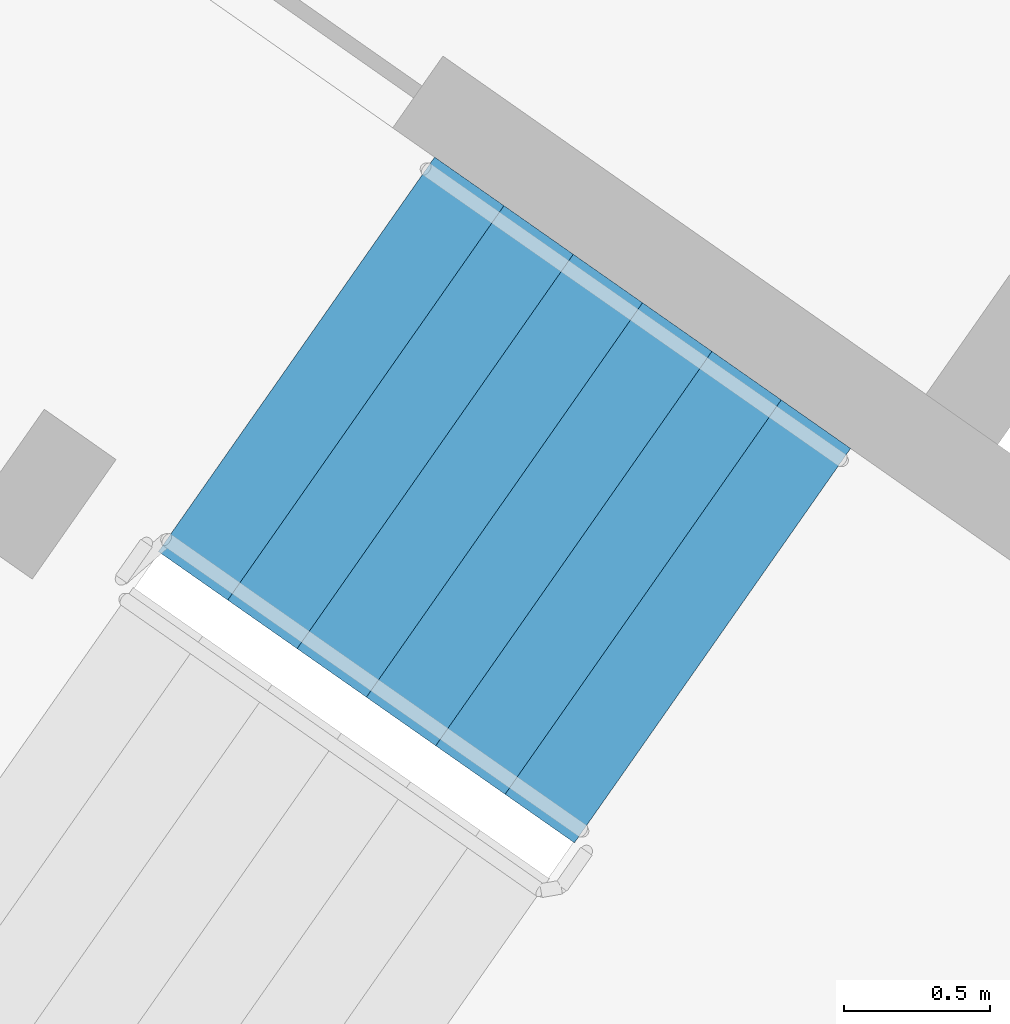
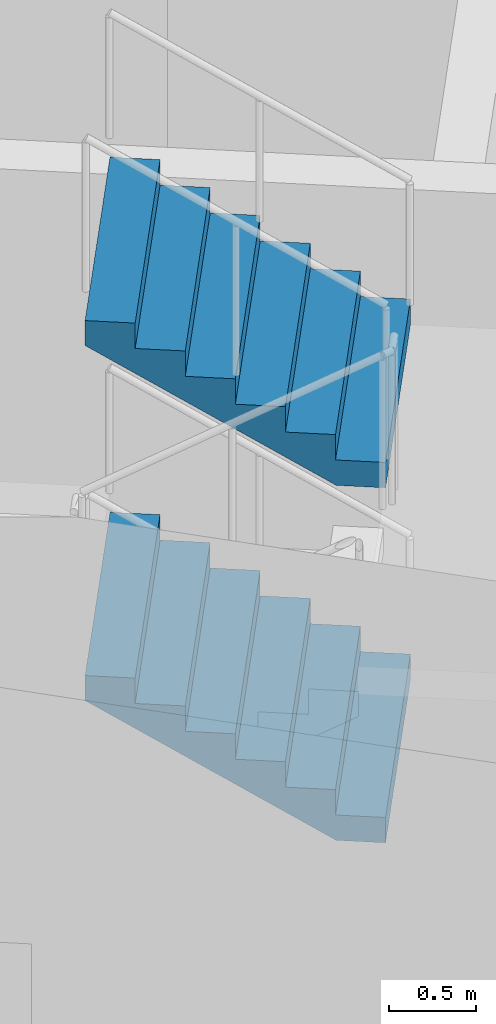
# One storey, part 14 of 24: 2 stair flights, 1 element without a shape of its own.
"""IFC4 building model written with IfcOpenShell, lengths in metres."""

from ifc_helpers import new_model, si_unit, direction, frame, origin, place, context, subcontext, project, spatial, faceted_brep, material, type_object, element, aggregate, save


model = new_model("IFC4")

# Units and contexts
model_context = context("Model", 3, precision=1e-05, world=origin(), true_north=direction((0.0, 1.0)))
body_context = subcontext(model_context, "Body", "Model", "MODEL_VIEW")
ifc_project = project(units=[si_unit("LENGTHUNIT", "METRE"), si_unit("AREAUNIT", "SQUARE_METRE"), si_unit("VOLUMEUNIT", "CUBIC_METRE"), si_unit("PLANEANGLEUNIT", "RADIAN"), si_unit("MASSUNIT", "GRAM", prefix="KILO")], contexts=[model_context])

# Site, building, storey
site_placement = place(None, origin())
site = spatial("IfcSite", under=ifc_project, at=site_placement, CompositionType="ELEMENT")
building_placement = place(site_placement, origin())
building = spatial("IfcBuilding", under=site, at=building_placement, Name="Qamariyya Broadcast Tower", CompositionType="ELEMENT")
storey_placement = place(building_placement, frame((0.0, 0.0, 198.699951171875)))
storey = spatial("IfcBuildingStorey", under=building, at=storey_placement, Name="L47", CompositionType="ELEMENT", Elevation=198.699951171875)

# Stair, stair flights
ifc_material = material(Name="Concrete C50/60", Category="concrete")
stair_type = type_object("IfcStairType", Name="Exit stair 28 risers of 179 mm", PredefinedType="HALF_TURN_STAIR", material=ifc_material)
stair_placement = place(storey_placement, origin())
stair = element("IfcStair", 1, at=stair_placement, inside=storey, type_object=stair_type, Name="L47 Stair W1", PredefinedType="HALF_TURN_STAIR")
stair_flight_type = type_object("IfcStairFlightType", Name="Exit stair flight 7 risers of 179 mm", PredefinedType="STRAIGHT", material=ifc_material)
stair_flight_1_placement = place(storey_placement, frame((-44.611083984375, -56.506103515625, 1.25), z_axis=(0.0, 0.0, 1.0), x_axis=(-0.819152044289, 0.573576436351, 0.0)))
stair_flight_1 = element("IfcStairFlight", 2, at=stair_flight_1_placement, type_object=stair_flight_type, Name="ST-W1 flight 2", NumberOfRisers=7, NumberOfTreads=6, PredefinedType="STRAIGHT", RiserHeight=0.178571429, TreadLength=0.29, context=body_context, shape_type="Brep", body=[
    faceted_brep([(0.0, 0.824951171875, 0.0), (0.0, 0.824951171875, 0.178466796875), (0.2900390625, 0.824951171875, 0.178466796875), (0.2900390625, 0.824951171875, 0.357177734375), (0.580078125, 0.824951171875, 0.357177734375), (0.580078125, 0.824951171875, 0.53564453125), (0.8701171875, 0.824951171875, 0.53564453125), (0.8701171875, 0.824951171875, 0.71435546875), (1.159912109375, 0.824951171875, 0.71435546875), (1.159912109375, 0.824951171875, 0.892822265625), (1.449951171875, 0.824951171875, 0.892822265625), (1.449951171875, 0.824951171875, 1.071533203125), (1.739990234375, 0.824951171875, 1.071533203125), (1.739990234375, 0.824951171875, 0.8955078125), (0.285888671875, 0.824951171875, 0.0), (0.285888671875, -0.824951171875, 0.0), (1.739990234375, -0.824951171875, 0.8955078125), (1.739990234375, -0.824951171875, 1.071533203125), (1.449951171875, -0.824951171875, 1.071533203125), (1.449951171875, -0.824951171875, 0.892822265625), (1.159912109375, -0.824951171875, 0.892822265625), (1.159912109375, -0.824951171875, 0.71435546875), (0.8701171875, -0.824951171875, 0.71435546875), (0.8701171875, -0.824951171875, 0.53564453125), (0.580078125, -0.824951171875, 0.53564453125), (0.580078125, -0.824951171875, 0.357177734375), (0.2900390625, -0.824951171875, 0.357177734375), (0.2900390625, -0.824951171875, 0.178466796875), (0.0, -0.824951171875, 0.178466796875), (0.0, -0.824951171875, 0.0), (0.0, 0.10009765625, 0.0), (0.0, 0.086669921875, 0.0), (0.0, 0.0732421875, 0.0), (0.0, 0.06005859375, 0.0), (0.0, 0.046630859375, 0.0), (0.0, 0.033447265625, 0.0), (0.0, 0.02001953125, 0.0), (0.0, 0.006591796875, 0.0), (0.0, -0.006591796875, 0.0), (0.0, -0.02001953125, 0.0), (0.0, -0.033447265625, 0.0), (0.0, -0.046630859375, 0.0), (0.0, -0.06005859375, 0.0), (0.0, -0.0732421875, 0.0), (0.0, -0.086669921875, 0.0), (0.0, -0.10009765625, 0.0), (0.0, -0.10009765625, 0.178466796875), (0.0, -0.086669921875, 0.178466796875), (0.0, -0.0732421875, 0.178466796875), (0.0, -0.06005859375, 0.178466796875), (0.0, -0.046630859375, 0.178466796875), (0.0, -0.033447265625, 0.178466796875), (0.0, -0.02001953125, 0.178466796875), (0.0, -0.006591796875, 0.178466796875), (0.0, 0.006591796875, 0.178466796875), (0.0, 0.02001953125, 0.178466796875), (0.0, 0.033447265625, 0.178466796875), (0.0, 0.046630859375, 0.178466796875), (0.0, 0.06005859375, 0.178466796875), (0.0, 0.0732421875, 0.178466796875), (0.0, 0.086669921875, 0.178466796875), (0.0, 0.10009765625, 0.178466796875), (0.2900390625, -0.10009765625, 0.178466796875), (0.2900390625, -0.086669921875, 0.178466796875), (0.2900390625, -0.0732421875, 0.178466796875), (0.2900390625, -0.06005859375, 0.178466796875), (0.2900390625, -0.046630859375, 0.178466796875), (0.2900390625, -0.033447265625, 0.178466796875), (0.2900390625, -0.02001953125, 0.178466796875), (0.2900390625, -0.006591796875, 0.178466796875), (0.2900390625, 0.006591796875, 0.178466796875), (0.2900390625, 0.02001953125, 0.178466796875), (0.2900390625, 0.033447265625, 0.178466796875), (0.2900390625, 0.046630859375, 0.178466796875), (0.2900390625, 0.06005859375, 0.178466796875), (0.2900390625, 0.0732421875, 0.178466796875), (0.2900390625, 0.086669921875, 0.178466796875), (0.2900390625, 0.10009765625, 0.178466796875), (0.2900390625, -0.10009765625, 0.357177734375), (0.2900390625, -0.086669921875, 0.357177734375), (0.2900390625, -0.0732421875, 0.357177734375), (0.2900390625, -0.06005859375, 0.357177734375), (0.2900390625, -0.046630859375, 0.357177734375), (0.2900390625, -0.033447265625, 0.357177734375), (0.2900390625, -0.02001953125, 0.357177734375), (0.2900390625, -0.006591796875, 0.357177734375), (0.2900390625, 0.006591796875, 0.357177734375), (0.2900390625, 0.02001953125, 0.357177734375), (0.2900390625, 0.033447265625, 0.357177734375), (0.2900390625, 0.046630859375, 0.357177734375), (0.2900390625, 0.06005859375, 0.357177734375), (0.2900390625, 0.0732421875, 0.357177734375), (0.2900390625, 0.086669921875, 0.357177734375), (0.2900390625, 0.10009765625, 0.357177734375), (0.580078125, -0.10009765625, 0.357177734375), (0.580078125, -0.086669921875, 0.357177734375), (0.580078125, -0.0732421875, 0.357177734375), (0.580078125, -0.06005859375, 0.357177734375), (0.580078125, -0.046630859375, 0.357177734375), (0.580078125, -0.033447265625, 0.357177734375), (0.580078125, -0.02001953125, 0.357177734375), (0.580078125, -0.006591796875, 0.357177734375), (0.580078125, 0.006591796875, 0.357177734375), (0.580078125, 0.02001953125, 0.357177734375), (0.580078125, 0.033447265625, 0.357177734375), (0.580078125, 0.046630859375, 0.357177734375), (0.580078125, 0.06005859375, 0.357177734375), (0.580078125, 0.0732421875, 0.357177734375), (0.580078125, 0.086669921875, 0.357177734375), (0.580078125, 0.10009765625, 0.357177734375), (0.580078125, -0.10009765625, 0.53564453125), (0.580078125, -0.086669921875, 0.53564453125), (0.580078125, -0.0732421875, 0.53564453125), (0.580078125, -0.06005859375, 0.53564453125), (0.580078125, -0.046630859375, 0.53564453125), (0.580078125, -0.033447265625, 0.53564453125), (0.580078125, -0.02001953125, 0.53564453125), (0.580078125, -0.006591796875, 0.53564453125), (0.580078125, 0.006591796875, 0.53564453125), (0.580078125, 0.02001953125, 0.53564453125), (0.580078125, 0.033447265625, 0.53564453125), (0.580078125, 0.046630859375, 0.53564453125), (0.580078125, 0.06005859375, 0.53564453125), (0.580078125, 0.0732421875, 0.53564453125), (0.580078125, 0.086669921875, 0.53564453125), (0.580078125, 0.10009765625, 0.53564453125), (0.8701171875, -0.10009765625, 0.53564453125), (0.8701171875, -0.086669921875, 0.53564453125), (0.8701171875, -0.0732421875, 0.53564453125), (0.8701171875, -0.06005859375, 0.53564453125), (0.8701171875, -0.046630859375, 0.53564453125), (0.8701171875, -0.033447265625, 0.53564453125), (0.8701171875, -0.02001953125, 0.53564453125), (0.8701171875, -0.006591796875, 0.53564453125), (0.8701171875, 0.006591796875, 0.53564453125), (0.8701171875, 0.02001953125, 0.53564453125), (0.8701171875, 0.033447265625, 0.53564453125), (0.8701171875, 0.046630859375, 0.53564453125), (0.8701171875, 0.06005859375, 0.53564453125), (0.8701171875, 0.0732421875, 0.53564453125), (0.8701171875, 0.086669921875, 0.53564453125), (0.8701171875, 0.10009765625, 0.53564453125), (0.8701171875, -0.10009765625, 0.71435546875), (0.8701171875, -0.086669921875, 0.71435546875), (0.8701171875, -0.0732421875, 0.71435546875), (0.8701171875, -0.06005859375, 0.71435546875), (0.8701171875, -0.046630859375, 0.71435546875), (0.8701171875, -0.033447265625, 0.71435546875), (0.8701171875, -0.02001953125, 0.71435546875), (0.8701171875, -0.006591796875, 0.71435546875), (0.8701171875, 0.006591796875, 0.71435546875), (0.8701171875, 0.02001953125, 0.71435546875), (0.8701171875, 0.033447265625, 0.71435546875), (0.8701171875, 0.046630859375, 0.71435546875), (0.8701171875, 0.06005859375, 0.71435546875), (0.8701171875, 0.0732421875, 0.71435546875), (0.8701171875, 0.086669921875, 0.71435546875), (0.8701171875, 0.10009765625, 0.71435546875), (1.159912109375, -0.10009765625, 0.71435546875), (1.159912109375, -0.086669921875, 0.71435546875), (1.159912109375, -0.0732421875, 0.71435546875), (1.159912109375, -0.06005859375, 0.71435546875), (1.159912109375, -0.046630859375, 0.71435546875), (1.159912109375, -0.033447265625, 0.71435546875), (1.159912109375, -0.02001953125, 0.71435546875), (1.159912109375, -0.006591796875, 0.71435546875), (1.159912109375, 0.006591796875, 0.71435546875), (1.159912109375, 0.02001953125, 0.71435546875), (1.159912109375, 0.033447265625, 0.71435546875), (1.159912109375, 0.046630859375, 0.71435546875), (1.159912109375, 0.06005859375, 0.71435546875), (1.159912109375, 0.0732421875, 0.71435546875), (1.159912109375, 0.086669921875, 0.71435546875), (1.159912109375, 0.10009765625, 0.71435546875), (1.159912109375, -0.10009765625, 0.892822265625), (1.159912109375, -0.086669921875, 0.892822265625), (1.159912109375, -0.0732421875, 0.892822265625), (1.159912109375, -0.06005859375, 0.892822265625), (1.159912109375, -0.046630859375, 0.892822265625), (1.159912109375, -0.033447265625, 0.892822265625), (1.159912109375, -0.02001953125, 0.892822265625), (1.159912109375, -0.006591796875, 0.892822265625), (1.159912109375, 0.006591796875, 0.892822265625), (1.159912109375, 0.02001953125, 0.892822265625), (1.159912109375, 0.033447265625, 0.892822265625), (1.159912109375, 0.046630859375, 0.892822265625), (1.159912109375, 0.06005859375, 0.892822265625), (1.159912109375, 0.0732421875, 0.892822265625), (1.159912109375, 0.086669921875, 0.892822265625), (1.159912109375, 0.10009765625, 0.892822265625), (1.449951171875, -0.10009765625, 0.892822265625), (1.449951171875, -0.086669921875, 0.892822265625), (1.449951171875, -0.0732421875, 0.892822265625), (1.449951171875, -0.06005859375, 0.892822265625), (1.449951171875, -0.046630859375, 0.892822265625), (1.449951171875, -0.033447265625, 0.892822265625), (1.449951171875, -0.02001953125, 0.892822265625), (1.449951171875, -0.006591796875, 0.892822265625), (1.449951171875, 0.006591796875, 0.892822265625), (1.449951171875, 0.02001953125, 0.892822265625), (1.449951171875, 0.033447265625, 0.892822265625), (1.449951171875, 0.046630859375, 0.892822265625), (1.449951171875, 0.06005859375, 0.892822265625), (1.449951171875, 0.0732421875, 0.892822265625), (1.449951171875, 0.086669921875, 0.892822265625), (1.449951171875, 0.10009765625, 0.892822265625), (1.449951171875, -0.10009765625, 1.071533203125), (1.449951171875, -0.086669921875, 1.071533203125), (1.449951171875, -0.0732421875, 1.071533203125), (1.449951171875, -0.06005859375, 1.071533203125), (1.449951171875, -0.046630859375, 1.071533203125), (1.449951171875, -0.033447265625, 1.071533203125), (1.449951171875, -0.02001953125, 1.071533203125), (1.449951171875, -0.006591796875, 1.071533203125), (1.449951171875, 0.006591796875, 1.071533203125), (1.449951171875, 0.02001953125, 1.071533203125), (1.449951171875, 0.033447265625, 1.071533203125), (1.449951171875, 0.046630859375, 1.071533203125), (1.449951171875, 0.06005859375, 1.071533203125), (1.449951171875, 0.0732421875, 1.071533203125), (1.449951171875, 0.086669921875, 1.071533203125), (1.449951171875, 0.10009765625, 1.071533203125), (1.739990234375, -0.10009765625, 1.071533203125), (1.739990234375, -0.086669921875, 1.071533203125), (1.739990234375, -0.0732421875, 1.071533203125), (1.739990234375, -0.06005859375, 1.071533203125), (1.739990234375, -0.046630859375, 1.071533203125), (1.739990234375, -0.033447265625, 1.071533203125), (1.739990234375, -0.02001953125, 1.071533203125), (1.739990234375, -0.006591796875, 1.071533203125), (1.739990234375, 0.006591796875, 1.071533203125), (1.739990234375, 0.02001953125, 1.071533203125), (1.739990234375, 0.033447265625, 1.071533203125), (1.739990234375, 0.046630859375, 1.071533203125), (1.739990234375, 0.06005859375, 1.071533203125), (1.739990234375, 0.0732421875, 1.071533203125), (1.739990234375, 0.086669921875, 1.071533203125), (1.739990234375, 0.10009765625, 1.071533203125), (1.739990234375, -0.10009765625, 0.8955078125), (1.739990234375, -0.086669921875, 0.8955078125), (1.739990234375, -0.0732421875, 0.8955078125), (1.739990234375, -0.06005859375, 0.8955078125), (1.739990234375, -0.046630859375, 0.8955078125), (1.739990234375, -0.033447265625, 0.8955078125), (1.739990234375, -0.02001953125, 0.8955078125), (1.739990234375, -0.006591796875, 0.8955078125), (1.739990234375, 0.006591796875, 0.8955078125), (1.739990234375, 0.02001953125, 0.8955078125), (1.739990234375, 0.033447265625, 0.8955078125), (1.739990234375, 0.046630859375, 0.8955078125), (1.739990234375, 0.06005859375, 0.8955078125), (1.739990234375, 0.0732421875, 0.8955078125), (1.739990234375, 0.086669921875, 0.8955078125), (1.739990234375, 0.10009765625, 0.8955078125), (0.285888671875, -0.10009765625, 0.0), (0.285888671875, -0.086669921875, 0.0), (0.285888671875, -0.0732421875, 0.0), (0.285888671875, -0.06005859375, 0.0), (0.285888671875, -0.046630859375, 0.0), (0.285888671875, -0.033447265625, 0.0), (0.285888671875, -0.02001953125, 0.0), (0.285888671875, -0.006591796875, 0.0), (0.285888671875, 0.006591796875, 0.0), (0.285888671875, 0.02001953125, 0.0), (0.285888671875, 0.033447265625, 0.0), (0.285888671875, 0.046630859375, 0.0), (0.285888671875, 0.06005859375, 0.0), (0.285888671875, 0.0732421875, 0.0), (0.285888671875, 0.086669921875, 0.0), (0.285888671875, 0.10009765625, 0.0)], [[[0, 1, 2, 3, 4, 5, 6, 7, 8, 9, 10, 11, 12, 13, 14]], [[15, 16, 17, 18, 19, 20, 21, 22, 23, 24, 25, 26, 27, 28, 29]], [[0, 30, 31, 32, 33, 34, 35, 36, 37, 38, 39, 40, 41, 42, 43, 44, 45, 29, 28, 46, 47, 48, 49, 50, 51, 52, 53, 54, 55, 56, 57, 58, 59, 60, 61, 1]], [[1, 61, 60, 59, 58, 57, 56, 55, 54, 53, 52, 51, 50, 49, 48, 47, 46, 28, 27, 62, 63, 64, 65, 66, 67, 68, 69, 70, 71, 72, 73, 74, 75, 76, 77, 2]], [[2, 77, 76, 75, 74, 73, 72, 71, 70, 69, 68, 67, 66, 65, 64, 63, 62, 27, 26, 78, 79, 80, 81, 82, 83, 84, 85, 86, 87, 88, 89, 90, 91, 92, 93, 3]], [[3, 93, 92, 91, 90, 89, 88, 87, 86, 85, 84, 83, 82, 81, 80, 79, 78, 26, 25, 94, 95, 96, 97, 98, 99, 100, 101, 102, 103, 104, 105, 106, 107, 108, 109, 4]], [[4, 109, 108, 107, 106, 105, 104, 103, 102, 101, 100, 99, 98, 97, 96, 95, 94, 25, 24, 110, 111, 112, 113, 114, 115, 116, 117, 118, 119, 120, 121, 122, 123, 124, 125, 5]], [[5, 125, 124, 123, 122, 121, 120, 119, 118, 117, 116, 115, 114, 113, 112, 111, 110, 24, 23, 126, 127, 128, 129, 130, 131, 132, 133, 134, 135, 136, 137, 138, 139, 140, 141, 6]], [[6, 141, 140, 139, 138, 137, 136, 135, 134, 133, 132, 131, 130, 129, 128, 127, 126, 23, 22, 142, 143, 144, 145, 146, 147, 148, 149, 150, 151, 152, 153, 154, 155, 156, 157, 7]], [[7, 157, 156, 155, 154, 153, 152, 151, 150, 149, 148, 147, 146, 145, 144, 143, 142, 22, 21, 158, 159, 160, 161, 162, 163, 164, 165, 166, 167, 168, 169, 170, 171, 172, 173, 8]], [[8, 173, 172, 171, 170, 169, 168, 167, 166, 165, 164, 163, 162, 161, 160, 159, 158, 21, 20, 174, 175, 176, 177, 178, 179, 180, 181, 182, 183, 184, 185, 186, 187, 188, 189, 9]], [[9, 189, 188, 187, 186, 185, 184, 183, 182, 181, 180, 179, 178, 177, 176, 175, 174, 20, 19, 190, 191, 192, 193, 194, 195, 196, 197, 198, 199, 200, 201, 202, 203, 204, 205, 10]], [[10, 205, 204, 203, 202, 201, 200, 199, 198, 197, 196, 195, 194, 193, 192, 191, 190, 19, 18, 206, 207, 208, 209, 210, 211, 212, 213, 214, 215, 216, 217, 218, 219, 220, 221, 11]], [[11, 221, 220, 219, 218, 217, 216, 215, 214, 213, 212, 211, 210, 209, 208, 207, 206, 18, 17, 222, 223, 224, 225, 226, 227, 228, 229, 230, 231, 232, 233, 234, 235, 236, 237, 12]], [[12, 237, 236, 235, 234, 233, 232, 231, 230, 229, 228, 227, 226, 225, 224, 223, 222, 17, 16, 238, 239, 240, 241, 242, 243, 244, 245, 246, 247, 248, 249, 250, 251, 252, 253, 13]], [[13, 253, 252, 251, 250, 249, 248, 247, 246, 245, 244, 243, 242, 241, 240, 239, 238, 16, 15, 254, 255, 256, 257, 258, 259, 260, 261, 262, 263, 264, 265, 266, 267, 268, 269, 14]], [[14, 269, 268, 267, 266, 265, 264, 263, 262, 261, 260, 259, 258, 257, 256, 255, 254, 15, 29, 45, 44, 43, 42, 41, 40, 39, 38, 37, 36, 35, 34, 33, 32, 31, 30, 0]]]),
])
stair_flight_2_placement = place(storey_placement, frame((-44.611083984375, -56.506103515625, 3.75), z_axis=(0.0, 0.0, 1.0), x_axis=(-0.819152044289, 0.573576436351, 0.0)))
stair_flight_2 = element("IfcStairFlight", 3, at=stair_flight_2_placement, type_object=stair_flight_type, Name="ST-W1 flight 4", NumberOfRisers=7, NumberOfTreads=6, PredefinedType="STRAIGHT", RiserHeight=0.178571429, TreadLength=0.29, context=body_context, shape_type="Brep", body=[
    faceted_brep([(0.0, 0.824951171875, 0.0), (0.0, 0.824951171875, 0.178466796875), (0.2900390625, 0.824951171875, 0.178466796875), (0.2900390625, 0.824951171875, 0.357177734375), (0.580078125, 0.824951171875, 0.357177734375), (0.580078125, 0.824951171875, 0.53564453125), (0.8701171875, 0.824951171875, 0.53564453125), (0.8701171875, 0.824951171875, 0.71435546875), (1.159912109375, 0.824951171875, 0.71435546875), (1.159912109375, 0.824951171875, 0.892822265625), (1.449951171875, 0.824951171875, 0.892822265625), (1.449951171875, 0.824951171875, 1.071533203125), (1.739990234375, 0.824951171875, 1.071533203125), (1.739990234375, 0.824951171875, 0.8955078125), (0.285888671875, 0.824951171875, 0.0), (0.285888671875, -0.824951171875, 0.0), (1.739990234375, -0.824951171875, 0.8955078125), (1.739990234375, -0.824951171875, 1.071533203125), (1.449951171875, -0.824951171875, 1.071533203125), (1.449951171875, -0.824951171875, 0.892822265625), (1.159912109375, -0.824951171875, 0.892822265625), (1.159912109375, -0.824951171875, 0.71435546875), (0.8701171875, -0.824951171875, 0.71435546875), (0.8701171875, -0.824951171875, 0.53564453125), (0.580078125, -0.824951171875, 0.53564453125), (0.580078125, -0.824951171875, 0.357177734375), (0.2900390625, -0.824951171875, 0.357177734375), (0.2900390625, -0.824951171875, 0.178466796875), (0.0, -0.824951171875, 0.178466796875), (0.0, -0.824951171875, 0.0), (0.0, 0.10009765625, 0.0), (0.0, 0.086669921875, 0.0), (0.0, 0.0732421875, 0.0), (0.0, 0.06005859375, 0.0), (0.0, 0.046630859375, 0.0), (0.0, 0.033447265625, 0.0), (0.0, 0.02001953125, 0.0), (0.0, 0.006591796875, 0.0), (0.0, -0.006591796875, 0.0), (0.0, -0.02001953125, 0.0), (0.0, -0.033447265625, 0.0), (0.0, -0.046630859375, 0.0), (0.0, -0.06005859375, 0.0), (0.0, -0.0732421875, 0.0), (0.0, -0.086669921875, 0.0), (0.0, -0.10009765625, 0.0), (0.0, -0.10009765625, 0.178466796875), (0.0, -0.086669921875, 0.178466796875), (0.0, -0.0732421875, 0.178466796875), (0.0, -0.06005859375, 0.178466796875), (0.0, -0.046630859375, 0.178466796875), (0.0, -0.033447265625, 0.178466796875), (0.0, -0.02001953125, 0.178466796875), (0.0, -0.006591796875, 0.178466796875), (0.0, 0.006591796875, 0.178466796875), (0.0, 0.02001953125, 0.178466796875), (0.0, 0.033447265625, 0.178466796875), (0.0, 0.046630859375, 0.178466796875), (0.0, 0.06005859375, 0.178466796875), (0.0, 0.0732421875, 0.178466796875), (0.0, 0.086669921875, 0.178466796875), (0.0, 0.10009765625, 0.178466796875), (0.2900390625, -0.10009765625, 0.178466796875), (0.2900390625, -0.086669921875, 0.178466796875), (0.2900390625, -0.0732421875, 0.178466796875), (0.2900390625, -0.06005859375, 0.178466796875), (0.2900390625, -0.046630859375, 0.178466796875), (0.2900390625, -0.033447265625, 0.178466796875), (0.2900390625, -0.02001953125, 0.178466796875), (0.2900390625, -0.006591796875, 0.178466796875), (0.2900390625, 0.006591796875, 0.178466796875), (0.2900390625, 0.02001953125, 0.178466796875), (0.2900390625, 0.033447265625, 0.178466796875), (0.2900390625, 0.046630859375, 0.178466796875), (0.2900390625, 0.06005859375, 0.178466796875), (0.2900390625, 0.0732421875, 0.178466796875), (0.2900390625, 0.086669921875, 0.178466796875), (0.2900390625, 0.10009765625, 0.178466796875), (0.2900390625, -0.10009765625, 0.357177734375), (0.2900390625, -0.086669921875, 0.357177734375), (0.2900390625, -0.0732421875, 0.357177734375), (0.2900390625, -0.06005859375, 0.357177734375), (0.2900390625, -0.046630859375, 0.357177734375), (0.2900390625, -0.033447265625, 0.357177734375), (0.2900390625, -0.02001953125, 0.357177734375), (0.2900390625, -0.006591796875, 0.357177734375), (0.2900390625, 0.006591796875, 0.357177734375), (0.2900390625, 0.02001953125, 0.357177734375), (0.2900390625, 0.033447265625, 0.357177734375), (0.2900390625, 0.046630859375, 0.357177734375), (0.2900390625, 0.06005859375, 0.357177734375), (0.2900390625, 0.0732421875, 0.357177734375), (0.2900390625, 0.086669921875, 0.357177734375), (0.2900390625, 0.10009765625, 0.357177734375), (0.580078125, -0.10009765625, 0.357177734375), (0.580078125, -0.086669921875, 0.357177734375), (0.580078125, -0.0732421875, 0.357177734375), (0.580078125, -0.06005859375, 0.357177734375), (0.580078125, -0.046630859375, 0.357177734375), (0.580078125, -0.033447265625, 0.357177734375), (0.580078125, -0.02001953125, 0.357177734375), (0.580078125, -0.006591796875, 0.357177734375), (0.580078125, 0.006591796875, 0.357177734375), (0.580078125, 0.02001953125, 0.357177734375), (0.580078125, 0.033447265625, 0.357177734375), (0.580078125, 0.046630859375, 0.357177734375), (0.580078125, 0.06005859375, 0.357177734375), (0.580078125, 0.0732421875, 0.357177734375), (0.580078125, 0.086669921875, 0.357177734375), (0.580078125, 0.10009765625, 0.357177734375), (0.580078125, -0.10009765625, 0.53564453125), (0.580078125, -0.086669921875, 0.53564453125), (0.580078125, -0.0732421875, 0.53564453125), (0.580078125, -0.06005859375, 0.53564453125), (0.580078125, -0.046630859375, 0.53564453125), (0.580078125, -0.033447265625, 0.53564453125), (0.580078125, -0.02001953125, 0.53564453125), (0.580078125, -0.006591796875, 0.53564453125), (0.580078125, 0.006591796875, 0.53564453125), (0.580078125, 0.02001953125, 0.53564453125), (0.580078125, 0.033447265625, 0.53564453125), (0.580078125, 0.046630859375, 0.53564453125), (0.580078125, 0.06005859375, 0.53564453125), (0.580078125, 0.0732421875, 0.53564453125), (0.580078125, 0.086669921875, 0.53564453125), (0.580078125, 0.10009765625, 0.53564453125), (0.8701171875, -0.10009765625, 0.53564453125), (0.8701171875, -0.086669921875, 0.53564453125), (0.8701171875, -0.0732421875, 0.53564453125), (0.8701171875, -0.06005859375, 0.53564453125), (0.8701171875, -0.046630859375, 0.53564453125), (0.8701171875, -0.033447265625, 0.53564453125), (0.8701171875, -0.02001953125, 0.53564453125), (0.8701171875, -0.006591796875, 0.53564453125), (0.8701171875, 0.006591796875, 0.53564453125), (0.8701171875, 0.02001953125, 0.53564453125), (0.8701171875, 0.033447265625, 0.53564453125), (0.8701171875, 0.046630859375, 0.53564453125), (0.8701171875, 0.06005859375, 0.53564453125), (0.8701171875, 0.0732421875, 0.53564453125), (0.8701171875, 0.086669921875, 0.53564453125), (0.8701171875, 0.10009765625, 0.53564453125), (0.8701171875, -0.10009765625, 0.71435546875), (0.8701171875, -0.086669921875, 0.71435546875), (0.8701171875, -0.0732421875, 0.71435546875), (0.8701171875, -0.06005859375, 0.71435546875), (0.8701171875, -0.046630859375, 0.71435546875), (0.8701171875, -0.033447265625, 0.71435546875), (0.8701171875, -0.02001953125, 0.71435546875), (0.8701171875, -0.006591796875, 0.71435546875), (0.8701171875, 0.006591796875, 0.71435546875), (0.8701171875, 0.02001953125, 0.71435546875), (0.8701171875, 0.033447265625, 0.71435546875), (0.8701171875, 0.046630859375, 0.71435546875), (0.8701171875, 0.06005859375, 0.71435546875), (0.8701171875, 0.0732421875, 0.71435546875), (0.8701171875, 0.086669921875, 0.71435546875), (0.8701171875, 0.10009765625, 0.71435546875), (1.159912109375, -0.10009765625, 0.71435546875), (1.159912109375, -0.086669921875, 0.71435546875), (1.159912109375, -0.0732421875, 0.71435546875), (1.159912109375, -0.06005859375, 0.71435546875), (1.159912109375, -0.046630859375, 0.71435546875), (1.159912109375, -0.033447265625, 0.71435546875), (1.159912109375, -0.02001953125, 0.71435546875), (1.159912109375, -0.006591796875, 0.71435546875), (1.159912109375, 0.006591796875, 0.71435546875), (1.159912109375, 0.02001953125, 0.71435546875), (1.159912109375, 0.033447265625, 0.71435546875), (1.159912109375, 0.046630859375, 0.71435546875), (1.159912109375, 0.06005859375, 0.71435546875), (1.159912109375, 0.0732421875, 0.71435546875), (1.159912109375, 0.086669921875, 0.71435546875), (1.159912109375, 0.10009765625, 0.71435546875), (1.159912109375, -0.10009765625, 0.892822265625), (1.159912109375, -0.086669921875, 0.892822265625), (1.159912109375, -0.0732421875, 0.892822265625), (1.159912109375, -0.06005859375, 0.892822265625), (1.159912109375, -0.046630859375, 0.892822265625), (1.159912109375, -0.033447265625, 0.892822265625), (1.159912109375, -0.02001953125, 0.892822265625), (1.159912109375, -0.006591796875, 0.892822265625), (1.159912109375, 0.006591796875, 0.892822265625), (1.159912109375, 0.02001953125, 0.892822265625), (1.159912109375, 0.033447265625, 0.892822265625), (1.159912109375, 0.046630859375, 0.892822265625), (1.159912109375, 0.06005859375, 0.892822265625), (1.159912109375, 0.0732421875, 0.892822265625), (1.159912109375, 0.086669921875, 0.892822265625), (1.159912109375, 0.10009765625, 0.892822265625), (1.449951171875, -0.10009765625, 0.892822265625), (1.449951171875, -0.086669921875, 0.892822265625), (1.449951171875, -0.0732421875, 0.892822265625), (1.449951171875, -0.06005859375, 0.892822265625), (1.449951171875, -0.046630859375, 0.892822265625), (1.449951171875, -0.033447265625, 0.892822265625), (1.449951171875, -0.02001953125, 0.892822265625), (1.449951171875, -0.006591796875, 0.892822265625), (1.449951171875, 0.006591796875, 0.892822265625), (1.449951171875, 0.02001953125, 0.892822265625), (1.449951171875, 0.033447265625, 0.892822265625), (1.449951171875, 0.046630859375, 0.892822265625), (1.449951171875, 0.06005859375, 0.892822265625), (1.449951171875, 0.0732421875, 0.892822265625), (1.449951171875, 0.086669921875, 0.892822265625), (1.449951171875, 0.10009765625, 0.892822265625), (1.449951171875, -0.10009765625, 1.071533203125), (1.449951171875, -0.086669921875, 1.071533203125), (1.449951171875, -0.0732421875, 1.071533203125), (1.449951171875, -0.06005859375, 1.071533203125), (1.449951171875, -0.046630859375, 1.071533203125), (1.449951171875, -0.033447265625, 1.071533203125), (1.449951171875, -0.02001953125, 1.071533203125), (1.449951171875, -0.006591796875, 1.071533203125), (1.449951171875, 0.006591796875, 1.071533203125), (1.449951171875, 0.02001953125, 1.071533203125), (1.449951171875, 0.033447265625, 1.071533203125), (1.449951171875, 0.046630859375, 1.071533203125), (1.449951171875, 0.06005859375, 1.071533203125), (1.449951171875, 0.0732421875, 1.071533203125), (1.449951171875, 0.086669921875, 1.071533203125), (1.449951171875, 0.10009765625, 1.071533203125), (1.739990234375, -0.10009765625, 1.071533203125), (1.739990234375, -0.086669921875, 1.071533203125), (1.739990234375, -0.0732421875, 1.071533203125), (1.739990234375, -0.06005859375, 1.071533203125), (1.739990234375, -0.046630859375, 1.071533203125), (1.739990234375, -0.033447265625, 1.071533203125), (1.739990234375, -0.02001953125, 1.071533203125), (1.739990234375, -0.006591796875, 1.071533203125), (1.739990234375, 0.006591796875, 1.071533203125), (1.739990234375, 0.02001953125, 1.071533203125), (1.739990234375, 0.033447265625, 1.071533203125), (1.739990234375, 0.046630859375, 1.071533203125), (1.739990234375, 0.06005859375, 1.071533203125), (1.739990234375, 0.0732421875, 1.071533203125), (1.739990234375, 0.086669921875, 1.071533203125), (1.739990234375, 0.10009765625, 1.071533203125), (1.739990234375, -0.10009765625, 0.8955078125), (1.739990234375, -0.086669921875, 0.8955078125), (1.739990234375, -0.0732421875, 0.8955078125), (1.739990234375, -0.06005859375, 0.8955078125), (1.739990234375, -0.046630859375, 0.8955078125), (1.739990234375, -0.033447265625, 0.8955078125), (1.739990234375, -0.02001953125, 0.8955078125), (1.739990234375, -0.006591796875, 0.8955078125), (1.739990234375, 0.006591796875, 0.8955078125), (1.739990234375, 0.02001953125, 0.8955078125), (1.739990234375, 0.033447265625, 0.8955078125), (1.739990234375, 0.046630859375, 0.8955078125), (1.739990234375, 0.06005859375, 0.8955078125), (1.739990234375, 0.0732421875, 0.8955078125), (1.739990234375, 0.086669921875, 0.8955078125), (1.739990234375, 0.10009765625, 0.8955078125), (0.285888671875, -0.10009765625, 0.0), (0.285888671875, -0.086669921875, 0.0), (0.285888671875, -0.0732421875, 0.0), (0.285888671875, -0.06005859375, 0.0), (0.285888671875, -0.046630859375, 0.0), (0.285888671875, -0.033447265625, 0.0), (0.285888671875, -0.02001953125, 0.0), (0.285888671875, -0.006591796875, 0.0), (0.285888671875, 0.006591796875, 0.0), (0.285888671875, 0.02001953125, 0.0), (0.285888671875, 0.033447265625, 0.0), (0.285888671875, 0.046630859375, 0.0), (0.285888671875, 0.06005859375, 0.0), (0.285888671875, 0.0732421875, 0.0), (0.285888671875, 0.086669921875, 0.0), (0.285888671875, 0.10009765625, 0.0)], [[[0, 1, 2, 3, 4, 5, 6, 7, 8, 9, 10, 11, 12, 13, 14]], [[15, 16, 17, 18, 19, 20, 21, 22, 23, 24, 25, 26, 27, 28, 29]], [[0, 30, 31, 32, 33, 34, 35, 36, 37, 38, 39, 40, 41, 42, 43, 44, 45, 29, 28, 46, 47, 48, 49, 50, 51, 52, 53, 54, 55, 56, 57, 58, 59, 60, 61, 1]], [[1, 61, 60, 59, 58, 57, 56, 55, 54, 53, 52, 51, 50, 49, 48, 47, 46, 28, 27, 62, 63, 64, 65, 66, 67, 68, 69, 70, 71, 72, 73, 74, 75, 76, 77, 2]], [[2, 77, 76, 75, 74, 73, 72, 71, 70, 69, 68, 67, 66, 65, 64, 63, 62, 27, 26, 78, 79, 80, 81, 82, 83, 84, 85, 86, 87, 88, 89, 90, 91, 92, 93, 3]], [[3, 93, 92, 91, 90, 89, 88, 87, 86, 85, 84, 83, 82, 81, 80, 79, 78, 26, 25, 94, 95, 96, 97, 98, 99, 100, 101, 102, 103, 104, 105, 106, 107, 108, 109, 4]], [[4, 109, 108, 107, 106, 105, 104, 103, 102, 101, 100, 99, 98, 97, 96, 95, 94, 25, 24, 110, 111, 112, 113, 114, 115, 116, 117, 118, 119, 120, 121, 122, 123, 124, 125, 5]], [[5, 125, 124, 123, 122, 121, 120, 119, 118, 117, 116, 115, 114, 113, 112, 111, 110, 24, 23, 126, 127, 128, 129, 130, 131, 132, 133, 134, 135, 136, 137, 138, 139, 140, 141, 6]], [[6, 141, 140, 139, 138, 137, 136, 135, 134, 133, 132, 131, 130, 129, 128, 127, 126, 23, 22, 142, 143, 144, 145, 146, 147, 148, 149, 150, 151, 152, 153, 154, 155, 156, 157, 7]], [[7, 157, 156, 155, 154, 153, 152, 151, 150, 149, 148, 147, 146, 145, 144, 143, 142, 22, 21, 158, 159, 160, 161, 162, 163, 164, 165, 166, 167, 168, 169, 170, 171, 172, 173, 8]], [[8, 173, 172, 171, 170, 169, 168, 167, 166, 165, 164, 163, 162, 161, 160, 159, 158, 21, 20, 174, 175, 176, 177, 178, 179, 180, 181, 182, 183, 184, 185, 186, 187, 188, 189, 9]], [[9, 189, 188, 187, 186, 185, 184, 183, 182, 181, 180, 179, 178, 177, 176, 175, 174, 20, 19, 190, 191, 192, 193, 194, 195, 196, 197, 198, 199, 200, 201, 202, 203, 204, 205, 10]], [[10, 205, 204, 203, 202, 201, 200, 199, 198, 197, 196, 195, 194, 193, 192, 191, 190, 19, 18, 206, 207, 208, 209, 210, 211, 212, 213, 214, 215, 216, 217, 218, 219, 220, 221, 11]], [[11, 221, 220, 219, 218, 217, 216, 215, 214, 213, 212, 211, 210, 209, 208, 207, 206, 18, 17, 222, 223, 224, 225, 226, 227, 228, 229, 230, 231, 232, 233, 234, 235, 236, 237, 12]], [[12, 237, 236, 235, 234, 233, 232, 231, 230, 229, 228, 227, 226, 225, 224, 223, 222, 17, 16, 238, 239, 240, 241, 242, 243, 244, 245, 246, 247, 248, 249, 250, 251, 252, 253, 13]], [[13, 253, 252, 251, 250, 249, 248, 247, 246, 245, 244, 243, 242, 241, 240, 239, 238, 16, 15, 254, 255, 256, 257, 258, 259, 260, 261, 262, 263, 264, 265, 266, 267, 268, 269, 14]], [[14, 269, 268, 267, 266, 265, 264, 263, 262, 261, 260, 259, 258, 257, 256, 255, 254, 15, 29, 45, 44, 43, 42, 41, 40, 39, 38, 37, 36, 35, 34, 33, 32, 31, 30, 0]]]),
])
aggregate(stair, [stair_flight_1, stair_flight_2])

save(model, "model.ifc")
